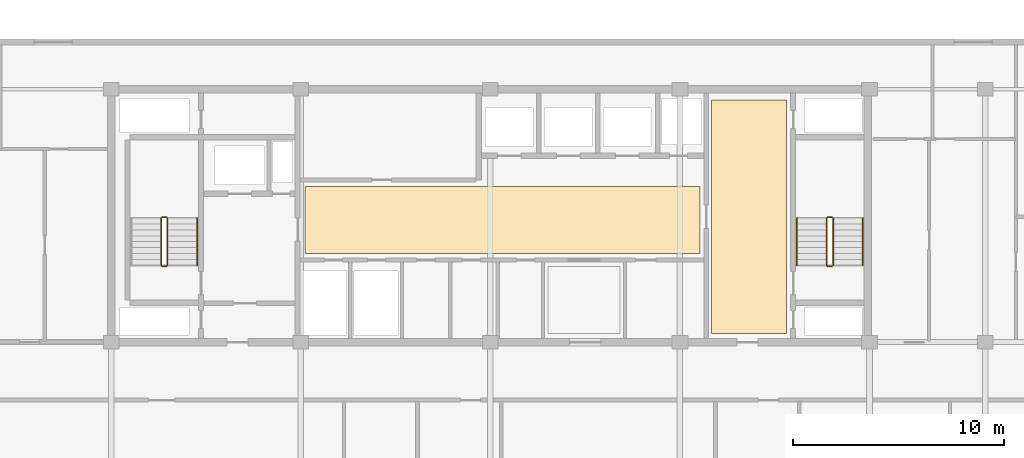
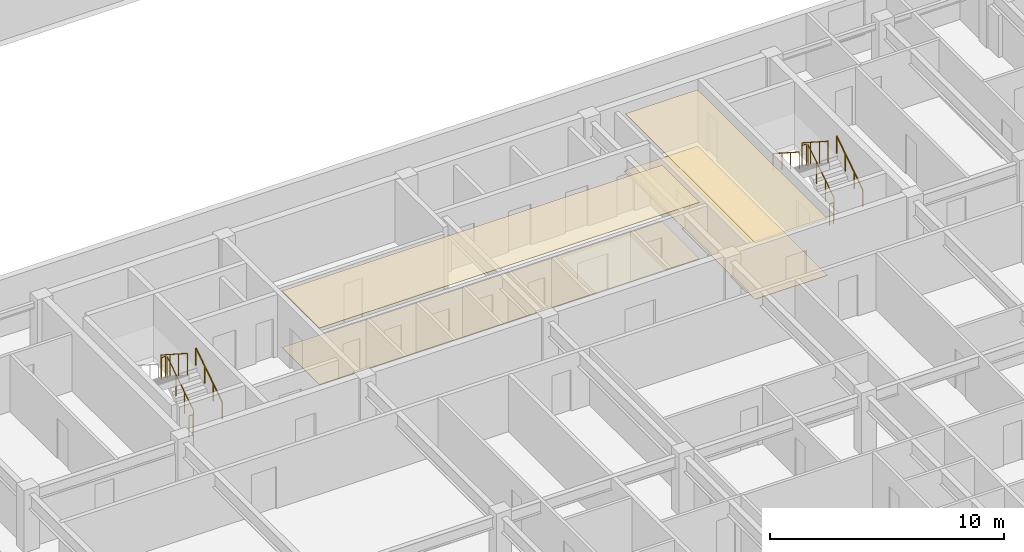
# One storey, part 29 of 32: 11 railings, 4 coverings.
"""IFC4 building model written with IfcOpenShell, lengths in metres."""

import ifcopenshell
import ifcopenshell.guid

model = None  # the IFC model being written
_history = None  # IfcOwnerHistory: only IFC2X3 demands one
_inside = {}  # id of a spatial element -> (the spatial element, [elements in it])
_under = {}  # id of a project, library or spatial element -> (it, [spatial elements below it])
_declared = {}  # id of a project -> (the project, [libraries it declares])
_typed = {}  # id of a type object -> (the type object, [elements of that type])
_made_of = {}  # id of a material, layer set ... -> (it, [elements and type objects made of it])


def new_model(schema):
    """Start an empty IFC model of exactly this schema.

    Asked for "IFC4X3", IfcOpenShell would pick the latest addendum, in which some entities
    have other attributes; the version numbers below select the first issue.
    IFC2X3 requires an IfcOwnerHistory on every rooted entity: one is made here for all.
    """
    global model, _history
    if schema == "IFC4X3":
        model = ifcopenshell.file(schema_version=(4, 3, 0, 0))
    else:
        model = ifcopenshell.file(schema=schema)
    _inside.clear()
    _under.clear()
    _declared.clear()
    _typed.clear()
    _made_of.clear()
    _history = None
    if model.schema == "IFC2X3":
        org = make("IfcOrganization", Name="unknown")
        user = make(
            "IfcPersonAndOrganization",
            ThePerson=make("IfcPerson", FamilyName="unknown"),
            TheOrganization=org,
        )
        app = make(
            "IfcApplication",
            ApplicationDeveloper=org,
            Version="unknown",
            ApplicationFullName="unknown",
            ApplicationIdentifier="unknown",
        )
        _history = make(
            "IfcOwnerHistory",
            OwningUser=user,
            OwningApplication=app,
            ChangeAction="ADDED",
            CreationDate=0,
        )
    return model


def make(cls, **values):
    """One entity of the class cls with the attributes given. An attribute that is None is left unset."""
    return model.create_entity(
        cls, **{name: value for name, value in values.items() if value is not None}
    )


def rooted(cls, **values):
    """An entity with a GlobalId (a new one), such as an element, a storey or a relation."""
    return make(cls, GlobalId=ifcopenshell.guid.new(), OwnerHistory=_history, **values)


def si_unit(unit_type, name, prefix=None):
    """IfcSIUnit, for example si_unit("LENGTHUNIT", "METRE", prefix="MILLI")."""
    return make("IfcSIUnit", UnitType=unit_type, Prefix=prefix, Name=name)


def assignment(units):
    """IfcUnitAssignment: the units of a project."""
    return None if units is None else make("IfcUnitAssignment", Units=units)


def point(xyz):
    """IfcCartesianPoint."""
    return None if xyz is None else make("IfcCartesianPoint", Coordinates=xyz)


def direction(xyz):
    """IfcDirection."""
    return None if xyz is None else make("IfcDirection", DirectionRatios=xyz)


def frame(location, z_axis=None, x_axis=None):
    """IfcAxis2Placement3D, a coordinate frame: its origin and axes. An axis left out is left unset."""
    return make(
        "IfcAxis2Placement3D",
        Location=point(location),
        Axis=direction(z_axis),
        RefDirection=direction(x_axis),
    )


def frame_2d(location, x_axis=None):
    """IfcAxis2Placement2D, a coordinate frame in the plane: its origin and x axis."""
    return make(
        "IfcAxis2Placement2D", Location=point(location), RefDirection=direction(x_axis)
    )


def origin():
    """The frame at (0, 0, 0) with its axes left unset."""
    return frame((0.0, 0.0, 0.0))


def origin_2d():
    """The frame at (0, 0) in the plane with its x axis left unset."""
    return frame_2d((0.0, 0.0))


def place(relative_to, where):
    """IfcLocalPlacement: puts the frame where relative to a parent placement (None: the world)."""
    return make(
        "IfcLocalPlacement", PlacementRelTo=relative_to, RelativePlacement=where
    )


def context(
    kind, dimensions, precision=None, world=None, true_north=None, identifier=None
):
    """IfcGeometricRepresentationContext, for example the 3D "Model" context."""
    return make(
        "IfcGeometricRepresentationContext",
        ContextIdentifier=identifier,
        ContextType=kind,
        CoordinateSpaceDimension=dimensions,
        Precision=precision,
        WorldCoordinateSystem=world,
        TrueNorth=true_north,
    )


def subcontext(parent, identifier, kind, view, scale=None):
    """IfcGeometricRepresentationSubContext, for example "Body" below "Model"."""
    return make(
        "IfcGeometricRepresentationSubContext",
        ContextIdentifier=identifier,
        ContextType=kind,
        ParentContext=parent,
        TargetScale=scale,
        TargetView=view,
    )


def project(units=None, contexts=None):
    """IfcProject with its units and contexts."""
    return rooted(
        "IfcProject",
        Name="project",
        RepresentationContexts=contexts,
        UnitsInContext=assignment(units),
    )


def spatial(cls, under=None, at=None, **own):
    """A site, building, storey or space (cls), placed at a placement, below another one or the project."""
    s = rooted(cls, ObjectPlacement=at, **own)
    if under is not None:
        _under.setdefault(under.id(), (under, []))[1].append(s)
    return s


def polyline(points):
    """IfcPolyline through the points."""
    return make("IfcPolyline", Points=[point(p) for p in points])


def profile(cls, at=None, kind="AREA", **sizes):
    """A parametric profile (cls). Its sizes go by their IFC names, for example OverallWidth=200.0."""
    return make(cls, ProfileType=kind, Position=at, **sizes)


def circle(**sizes):
    """IfcCircleProfileDef."""
    return profile("IfcCircleProfileDef", **sizes)


def outline(outer, holes=None, kind="AREA"):
    """IfcArbitraryClosedProfileDef: a profile drawn as a closed curve; with holes, ...WithVoids."""
    if holes is None:
        return make("IfcArbitraryClosedProfileDef", ProfileType=kind, OuterCurve=outer)
    return make(
        "IfcArbitraryProfileDefWithVoids",
        ProfileType=kind,
        OuterCurve=outer,
        InnerCurves=holes,
    )


def extrude(swept, where, along, depth):
    """IfcExtrudedAreaSolid: the profile swept, set in the frame where, extruded along a direction by depth."""
    return make(
        "IfcExtrudedAreaSolid",
        SweptArea=swept,
        Position=where,
        ExtrudedDirection=direction(along),
        Depth=depth,
    )


def shape(context_of_items, identifier, shape_type, items):
    """IfcShapeRepresentation: the items that make up one representation, for example the "Body"."""
    return make(
        "IfcShapeRepresentation",
        ContextOfItems=context_of_items,
        RepresentationIdentifier=identifier,
        RepresentationType=shape_type,
        Items=items,
    )


def material(Name=None, Category=None):
    """IfcMaterial."""
    return make("IfcMaterial", Name=Name, Category=Category)


def layer(
    of_material, thickness, ventilated=None, Name=None, Category=None, Priority=None
):
    """IfcMaterialLayer: one layer of a wall or slab, of a material (None: an air gap)."""
    return make(
        "IfcMaterialLayer",
        Material=of_material,
        LayerThickness=thickness,
        IsVentilated=ventilated,
        Name=Name,
        Category=Category,
        Priority=Priority,
    )


def layer_set(layers, Name=None):
    """IfcMaterialLayerSet."""
    return make("IfcMaterialLayerSet", MaterialLayers=layers, LayerSetName=Name)


def made_of(thing, what):
    """Note that an element or type object is made of a material, layer set ...; save() writes the relation."""
    if what is not None:
        _made_of.setdefault(what.id(), (what, []))[1].append(thing)
    return thing


def type_object(cls, material=None, **own):
    """A type object (cls), such as IfcWallType, which elements share."""
    return made_of(rooted(cls, **own), material)


def element(
    cls,
    number,
    at=None,
    inside=None,
    cuts=None,
    type_object=None,
    material=None,
    context=None,
    identifier="Body",
    shape_type=None,
    held_by="IfcProductDefinitionShape",
    body=None,
    shapes=None,
    **own,
):
    """One element of the class cls, such as IfcWall. Its Tag is "e" and its number.

    at: its placement. inside: the storey or other place that contains it. cuts: it is an
    opening in that element (IfcRelVoidsElement). A single representation is given by context,
    identifier, shape_type and body (its items); several are given by shapes. held_by: the class
    of the entity that holds the representations. save() writes the other relations.
    """
    e = rooted(cls, Tag="e%d" % number, ObjectPlacement=at, **own)
    if body is not None:
        shapes = [shape(context, identifier, shape_type, body)]
    if shapes is not None:
        e.Representation = make(held_by, Representations=shapes)
    if inside is not None:
        _inside.setdefault(inside.id(), (inside, []))[1].append(e)
    if cuts is not None:
        rooted(
            "IfcRelVoidsElement", RelatingBuildingElement=cuts, RelatedOpeningElement=e
        )
    if type_object is not None:
        _typed.setdefault(type_object.id(), (type_object, []))[1].append(e)
    return made_of(e, material)


def aggregate(whole, parts):
    """IfcRelAggregates: a whole, such as a stair, and the parts it consists of."""
    return rooted("IfcRelAggregates", RelatingObject=whole, RelatedObjects=parts)


def save(model, path):
    """Write the relations noted so far, then the file.

    IfcRelAggregates (storeys below a building ...), IfcRelContainedInSpatialStructure (elements
    in a storey), IfcRelDefinesByType, IfcRelAssociatesMaterial and IfcRelDeclares: one each for
    every whole, place, type object, material and project.
    """
    for whole, parts in _under.values():
        aggregate(whole, parts)
    for where, things in _inside.values():
        rooted(
            "IfcRelContainedInSpatialStructure",
            RelatedElements=things,
            RelatingStructure=where,
        )
    for kind, things in _typed.values():
        rooted("IfcRelDefinesByType", RelatedObjects=things, RelatingType=kind)
    for what, things in _made_of.values():
        rooted("IfcRelAssociatesMaterial", RelatedObjects=things, RelatingMaterial=what)
    for by, libraries in _declared.values():
        rooted("IfcRelDeclares", RelatingContext=by, RelatedDefinitions=libraries)
    model.write(path)


model = new_model("IFC4")

# Units and contexts
model_context = context("Model", 3, precision=1e-05, world=origin(), true_north=direction((0.0, 1.0)))
body_context = subcontext(model_context, "Body", "Model", "MODEL_VIEW")
ifc_project = project(units=[si_unit("LENGTHUNIT", "METRE"), si_unit("AREAUNIT", "SQUARE_METRE"), si_unit("VOLUMEUNIT", "CUBIC_METRE"), si_unit("PLANEANGLEUNIT", "RADIAN"), si_unit("MASSUNIT", "GRAM", prefix="KILO")], contexts=[model_context])

# Site, building, storey
site_placement = place(None, origin())
site = spatial("IfcSite", under=ifc_project, at=site_placement, CompositionType="ELEMENT")
building_placement = place(site_placement, origin())
building = spatial("IfcBuilding", under=site, at=building_placement, Name="Korimba Cascade Residences", CompositionType="ELEMENT")
storey_placement = place(building_placement, frame((0.0, 0.0, 178.35009765625)))
storey = spatial("IfcBuildingStorey", under=building, at=storey_placement, Name="L51", CompositionType="ELEMENT", Elevation=178.35009765625)

# Coverings
ifc_material_1 = material(Name="Perforated Acoustic Gypsum Ceiling", Category="gypsum")
ifc_layer_1 = layer(ifc_material_1, 0.02490234375)
ifc_layer_set_1 = layer_set([ifc_layer_1], Name="Perforated Acoustic Gypsum Ceiling")
covering_type_1 = type_object("IfcCoveringType", Name="COV-CLG-AC", PredefinedType="CEILING", material=ifc_layer_set_1)
covering_1_placement = place(storey_placement, frame((0.0, 0.0, 2.94482421875)))
element("IfcCovering", 1, at=covering_1_placement, inside=storey, type_object=covering_type_1, Name="L51 Suspended Acoustic Ceiling L51-LL2", PredefinedType="CEILING", context=body_context, shape_type="SweptSolid", body=[
    extrude(outline(polyline([(91.300048828125, 22.60009765625), (110.050048828125, 22.60009765625), (110.050048828125, 25.800048828125), (91.300048828125, 25.800048828125), (91.300048828125, 22.60009765625)])), origin(), (0.0, 0.0, 1.0), 0.025146484375),
])
covering_2_placement = place(storey_placement, frame((0.0, 0.0, 2.94482421875)))
element("IfcCovering", 2, at=covering_2_placement, inside=storey, type_object=covering_type_1, Name="L51 Suspended Acoustic Ceiling L51-EV2", PredefinedType="CEILING", context=body_context, shape_type="SweptSolid", body=[
    extrude(outline(polyline([(110.60009765625, 18.800048828125), (114.169921875, 18.800048828125), (114.169921875, 29.89990234375), (110.60009765625, 29.89990234375), (110.60009765625, 18.800048828125)])), origin(), (0.0, 0.0, 1.0), 0.025146484375),
])
ifc_material_2 = material(Name="Honed Travertine Stone Flooring", Category="masonry")
ifc_layer_2 = layer(ifc_material_2, 0.02490234375)
ifc_layer_set_2 = layer_set([ifc_layer_2], Name="Honed Travertine Stone Flooring")
covering_type_2 = type_object("IfcCoveringType", Name="COV-FLR-STN", PredefinedType="FLOORING", material=ifc_layer_set_2)
covering_3_placement = place(storey_placement, origin())
element("IfcCovering", 3, at=covering_3_placement, inside=storey, type_object=covering_type_2, Name="L51 Honed Travertine Stone Flooring L51-LL2", PredefinedType="FLOORING", context=body_context, shape_type="SweptSolid", body=[
    extrude(outline(polyline([(91.300048828125, 22.60009765625), (110.050048828125, 22.60009765625), (110.050048828125, 25.800048828125), (91.300048828125, 25.800048828125), (91.300048828125, 22.60009765625)])), origin(), (0.0, 0.0, 1.0), 0.02490234375),
])
covering_4_placement = place(storey_placement, origin())
element("IfcCovering", 4, at=covering_4_placement, inside=storey, type_object=covering_type_2, Name="L51 Honed Travertine Stone Flooring L51-EV2", PredefinedType="FLOORING", context=body_context, shape_type="SweptSolid", body=[
    extrude(outline(polyline([(110.60009765625, 18.800048828125), (114.169921875, 18.800048828125), (114.169921875, 29.89990234375), (110.60009765625, 29.89990234375), (110.60009765625, 18.800048828125)])), origin(), (0.0, 0.0, 1.0), 0.02490234375),
])

# Railings
ifc_material_3 = material(Name="Painted Steel Stairwell Guardrail", Category="steel")
railing_type_1 = type_object("IfcRailingType", Name="RLG-ST-GD1150", PredefinedType="GUARDRAIL", material=ifc_material_3)
railing_1_placement = place(storey_placement, frame((84.77001953125, 22.050048828125, 0.180419921875)))
element("IfcRailing", 5, at=railing_1_placement, inside=storey, type_object=railing_type_1, Name="L51 ST-E1 stair guard 1", PredefinedType="GUARDRAIL", context=body_context, shape_type="SweptSolid", body=[
    extrude(circle(Radius=0.02392578125, at=origin_2d()), frame((0.0, 0.0, 1.1259765625), z_axis=(0.0, 0.840394893359, 0.541974559565), x_axis=(-1.0, 0.0, 0.0)), (0.0, 0.0, 1.0), 2.665283203125),
    extrude(circle(Radius=0.02099609375, at=origin_2d()), origin(), (0.0, 0.0, 1.0), 1.101806640625),
    extrude(circle(Radius=0.02099609375, at=origin_2d()), frame((0.0, 0.74658203125, 0.4814453125)), (0.0, 0.0, 1.0), 1.101806640625),
    extrude(circle(Radius=0.02099609375, at=origin_2d()), frame((0.0, 1.493408203125, 0.963134765625)), (0.0, 0.0, 1.0), 1.101806640625),
    extrude(circle(Radius=0.02099609375, at=origin_2d()), frame((0.0, 2.239990234375, 1.444580078125)), (0.0, 0.0, 1.0), 1.101806640625),
])
railing_2_placement = place(storey_placement, frame((84.719970703125, 24.340087890625, 1.625)))
element("IfcRailing", 6, at=railing_2_placement, inside=storey, type_object=railing_type_1, Name="L51 ST-E1 stair guard 2", PredefinedType="GUARDRAIL", context=body_context, shape_type="SweptSolid", body=[
    extrude(circle(Radius=0.02392578125, at=origin_2d()), frame((0.0, 0.0, 1.1259765625), z_axis=(-1.0, 0.0, 0.0), x_axis=(0.0, -1.0, 0.0)), (0.0, 0.0, 1.0), 0.199951171875),
    extrude(circle(Radius=0.02099609375, at=origin_2d()), origin(), (0.0, 0.0, 1.0), 1.101806640625),
    extrude(circle(Radius=0.02099609375, at=origin_2d()), frame((-0.199951171875, 0.0, 0.0)), (0.0, 0.0, 1.0), 1.101806640625),
])
railing_3_placement = place(storey_placement, frame((84.469970703125, 24.2900390625, 1.805419921875)))
element("IfcRailing", 7, at=railing_3_placement, inside=storey, type_object=railing_type_1, Name="L51 ST-E1 stair guard 3", PredefinedType="GUARDRAIL", context=body_context, shape_type="SweptSolid", body=[
    extrude(circle(Radius=0.02392578125, at=origin_2d()), frame((0.0, 0.0, 1.1259765625), z_axis=(0.0, -0.840394893359, 0.541974559565), x_axis=(1.0, 0.0, 0.0)), (0.0, 0.0, 1.0), 2.665283203125),
    extrude(circle(Radius=0.02099609375, at=origin_2d()), origin(), (0.0, 0.0, 1.0), 1.101806640625),
    extrude(circle(Radius=0.02099609375, at=origin_2d()), frame((0.0, -0.74658203125, 0.4814453125)), (0.0, 0.0, 1.0), 1.101806640625),
    extrude(circle(Radius=0.02099609375, at=origin_2d()), frame((0.0, -1.493408203125, 0.963134765625)), (0.0, 0.0, 1.0), 1.101806640625),
    extrude(circle(Radius=0.02099609375, at=origin_2d()), frame((0.0, -2.239990234375, 1.444580078125)), (0.0, 0.0, 1.0), 1.101806640625),
])
railing_4_placement = place(storey_placement, frame((84.719970703125, 22.0, 0.0)))
element("IfcRailing", 8, at=railing_4_placement, inside=storey, type_object=railing_type_1, Name="L51 ST-E1 stair guard 4", PredefinedType="GUARDRAIL", context=body_context, shape_type="SweptSolid", body=[
    extrude(circle(Radius=0.02392578125, at=origin_2d()), frame((0.0, 0.0, 1.1259765625), z_axis=(-1.0, 0.0, 0.0), x_axis=(0.0, -1.0, 0.0)), (0.0, 0.0, 1.0), 0.199951171875),
    extrude(circle(Radius=0.02099609375, at=origin_2d()), origin(), (0.0, 0.0, 1.0), 1.101806640625),
    extrude(circle(Radius=0.02099609375, at=origin_2d()), frame((-0.199951171875, 0.0, 0.0)), (0.0, 0.0, 1.0), 1.101806640625),
])
railing_5_placement = place(storey_placement, frame((116.3701171875, 22.050048828125, 0.180419921875)))
element("IfcRailing", 9, at=railing_5_placement, inside=storey, type_object=railing_type_1, Name="L51 ST-E2 stair guard 1", PredefinedType="GUARDRAIL", context=body_context, shape_type="SweptSolid", body=[
    extrude(circle(Radius=0.02392578125, at=origin_2d()), frame((0.0, 0.0, 1.1259765625), z_axis=(0.0, 0.840394893359, 0.541974559565), x_axis=(-1.0, 0.0, 0.0)), (0.0, 0.0, 1.0), 2.665283203125),
    extrude(circle(Radius=0.02099609375, at=origin_2d()), origin(), (0.0, 0.0, 1.0), 1.101806640625),
    extrude(circle(Radius=0.02099609375, at=origin_2d()), frame((0.0, 0.74658203125, 0.4814453125)), (0.0, 0.0, 1.0), 1.101806640625),
    extrude(circle(Radius=0.02099609375, at=origin_2d()), frame((0.0, 1.493408203125, 0.963134765625)), (0.0, 0.0, 1.0), 1.101806640625),
    extrude(circle(Radius=0.02099609375, at=origin_2d()), frame((0.0, 2.239990234375, 1.444580078125)), (0.0, 0.0, 1.0), 1.101806640625),
])
railing_6_placement = place(storey_placement, frame((116.320068359375, 24.340087890625, 1.625)))
element("IfcRailing", 10, at=railing_6_placement, inside=storey, type_object=railing_type_1, Name="L51 ST-E2 stair guard 2", PredefinedType="GUARDRAIL", context=body_context, shape_type="SweptSolid", body=[
    extrude(circle(Radius=0.02392578125, at=origin_2d()), frame((0.0, 0.0, 1.1259765625), z_axis=(-1.0, 0.0, 0.0), x_axis=(0.0, -1.0, 0.0)), (0.0, 0.0, 1.0), 0.199951171875),
    extrude(circle(Radius=0.02099609375, at=origin_2d()), origin(), (0.0, 0.0, 1.0), 1.101806640625),
    extrude(circle(Radius=0.02099609375, at=origin_2d()), frame((-0.199951171875, 0.0, 0.0)), (0.0, 0.0, 1.0), 1.101806640625),
])
railing_7_placement = place(storey_placement, frame((116.070068359375, 24.2900390625, 1.805419921875)))
element("IfcRailing", 11, at=railing_7_placement, inside=storey, type_object=railing_type_1, Name="L51 ST-E2 stair guard 3", PredefinedType="GUARDRAIL", context=body_context, shape_type="SweptSolid", body=[
    extrude(circle(Radius=0.02392578125, at=origin_2d()), frame((0.0, 0.0, 1.1259765625), z_axis=(0.0, -0.840394893359, 0.541974559565), x_axis=(1.0, 0.0, 0.0)), (0.0, 0.0, 1.0), 2.665283203125),
    extrude(circle(Radius=0.02099609375, at=origin_2d()), origin(), (0.0, 0.0, 1.0), 1.101806640625),
    extrude(circle(Radius=0.02099609375, at=origin_2d()), frame((0.0, -0.74658203125, 0.4814453125)), (0.0, 0.0, 1.0), 1.101806640625),
    extrude(circle(Radius=0.02099609375, at=origin_2d()), frame((0.0, -1.493408203125, 0.963134765625)), (0.0, 0.0, 1.0), 1.101806640625),
    extrude(circle(Radius=0.02099609375, at=origin_2d()), frame((0.0, -2.239990234375, 1.444580078125)), (0.0, 0.0, 1.0), 1.101806640625),
])
railing_8_placement = place(storey_placement, frame((116.320068359375, 22.0, 0.0)))
element("IfcRailing", 12, at=railing_8_placement, inside=storey, type_object=railing_type_1, Name="L51 ST-E2 stair guard 4", PredefinedType="GUARDRAIL", context=body_context, shape_type="SweptSolid", body=[
    extrude(circle(Radius=0.02392578125, at=origin_2d()), frame((0.0, 0.0, 1.1259765625), z_axis=(-1.0, 0.0, 0.0), x_axis=(0.0, -1.0, 0.0)), (0.0, 0.0, 1.0), 0.199951171875),
    extrude(circle(Radius=0.02099609375, at=origin_2d()), origin(), (0.0, 0.0, 1.0), 1.101806640625),
    extrude(circle(Radius=0.02099609375, at=origin_2d()), frame((-0.199951171875, 0.0, 0.0)), (0.0, 0.0, 1.0), 1.101806640625),
])
ifc_material_4 = material(Name="Brushed Stainless Steel Handrail", Category="steel")
railing_type_2 = type_object("IfcRailingType", Name="RLG-ST-HR900", PredefinedType="HANDRAIL", material=ifc_material_4)
for number, where, name in (
    (13, (86.18994140625, 22.050048828125, 0.36474609375), "L51 ST-E1 stair handrail 1"),
    (14, (117.7900390625, 22.050048828125, 0.36474609375), "L51 ST-E2 stair handrail 1"),
):
    element("IfcRailing", number, at=place(storey_placement, frame(where)), inside=storey, type_object=railing_type_2, Name=name, PredefinedType="HANDRAIL", context=body_context, shape_type="SweptSolid", body=[
        extrude(circle(Radius=0.02392578125, at=origin_2d()), frame((0.0, 0.0, 0.8759765625), z_axis=(0.0, 0.840394893359, 0.541974559565), x_axis=(-1.0, 0.0, 0.0)), (0.0, 0.0, 1.0), 2.665283203125),
        extrude(circle(Radius=0.02099609375, at=origin_2d()), origin(), (0.0, 0.0, 1.0), 0.851806640625),
        extrude(circle(Radius=0.02099609375, at=origin_2d()), frame((0.0, 0.74658203125, 0.4814453125)), (0.0, 0.0, 1.0), 0.851806640625),
        extrude(circle(Radius=0.02099609375, at=origin_2d()), frame((0.0, 1.493408203125, 0.963134765625)), (0.0, 0.0, 1.0), 0.851806640625),
        extrude(circle(Radius=0.02099609375, at=origin_2d()), frame((0.0, 2.239990234375, 1.444580078125)), (0.0, 0.0, 1.0), 0.851806640625),
    ])
railing_9_placement = place(storey_placement, frame((114.64990234375, 24.2900390625, 1.98974609375)))
element("IfcRailing", 15, at=railing_9_placement, inside=storey, type_object=railing_type_2, Name="L51 ST-E2 stair handrail 2", PredefinedType="HANDRAIL", context=body_context, shape_type="SweptSolid", body=[
    extrude(circle(Radius=0.02392578125, at=origin_2d()), frame((0.0, 0.0, 0.8759765625), z_axis=(0.0, -0.840394893359, 0.541974559565), x_axis=(1.0, 0.0, 0.0)), (0.0, 0.0, 1.0), 2.665283203125),
    extrude(circle(Radius=0.02099609375, at=origin_2d()), origin(), (0.0, 0.0, 1.0), 0.851806640625),
    extrude(circle(Radius=0.02099609375, at=origin_2d()), frame((0.0, -0.74658203125, 0.4814453125)), (0.0, 0.0, 1.0), 0.851806640625),
    extrude(circle(Radius=0.02099609375, at=origin_2d()), frame((0.0, -1.493408203125, 0.963134765625)), (0.0, 0.0, 1.0), 0.851806640625),
    extrude(circle(Radius=0.02099609375, at=origin_2d()), frame((0.0, -2.239990234375, 1.444580078125)), (0.0, 0.0, 1.0), 0.851806640625),
])

save(model, "model.ifc")
